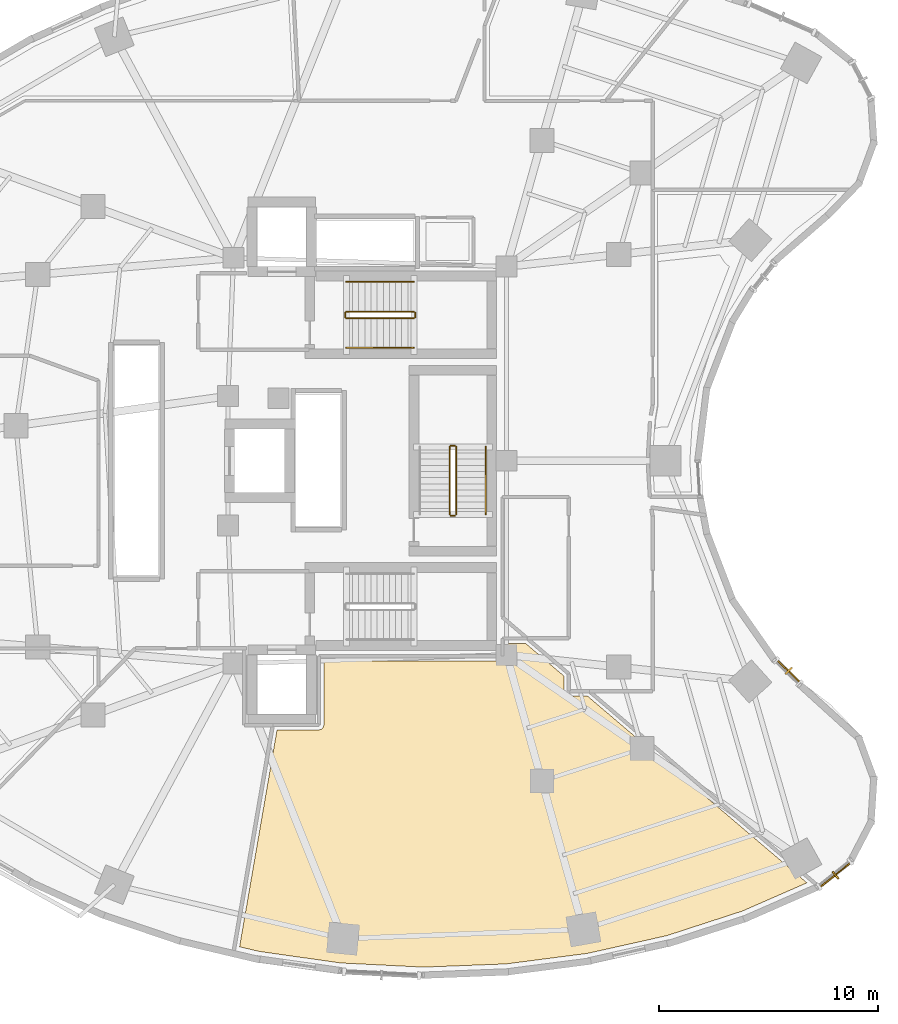
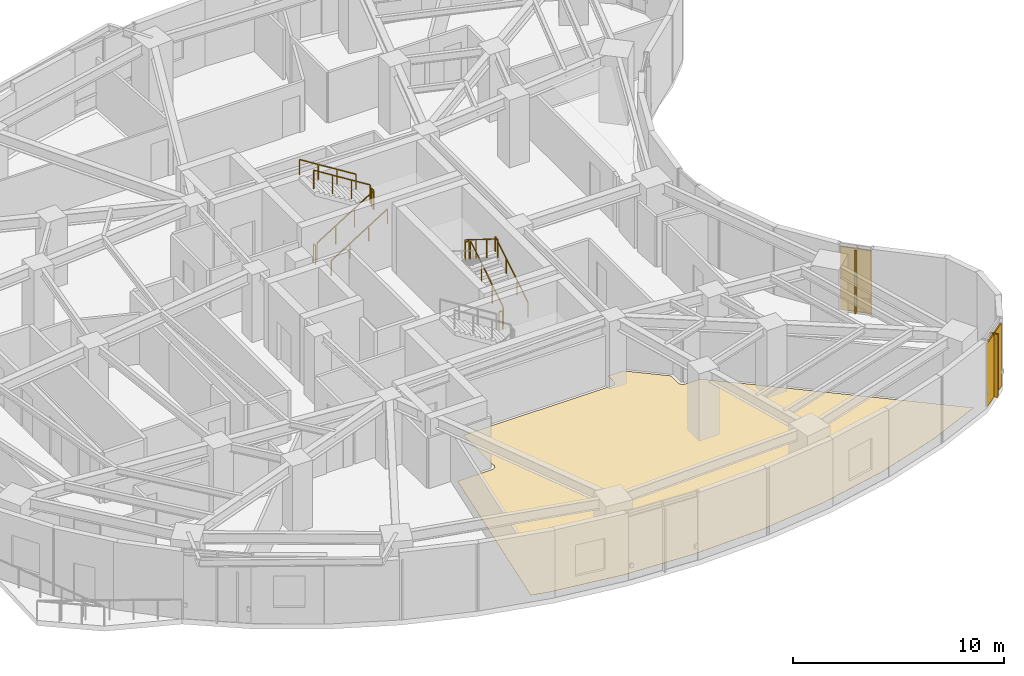
# One storey, part 13 of 14: 11 railings, 4 shading devices, 1 covering.
"""IFC4 building model written with IfcOpenShell, lengths in metres."""

import ifcopenshell
import ifcopenshell.guid

model = None  # the IFC model being written
_history = None  # IfcOwnerHistory: only IFC2X3 demands one
_inside = {}  # id of a spatial element -> (the spatial element, [elements in it])
_under = {}  # id of a project, library or spatial element -> (it, [spatial elements below it])
_declared = {}  # id of a project -> (the project, [libraries it declares])
_typed = {}  # id of a type object -> (the type object, [elements of that type])
_made_of = {}  # id of a material, layer set ... -> (it, [elements and type objects made of it])


def new_model(schema):
    """Start an empty IFC model of exactly this schema.

    Asked for "IFC4X3", IfcOpenShell would pick the latest addendum, in which some entities
    have other attributes; the version numbers below select the first issue.
    IFC2X3 requires an IfcOwnerHistory on every rooted entity: one is made here for all.
    """
    global model, _history
    if schema == "IFC4X3":
        model = ifcopenshell.file(schema_version=(4, 3, 0, 0))
    else:
        model = ifcopenshell.file(schema=schema)
    _inside.clear()
    _under.clear()
    _declared.clear()
    _typed.clear()
    _made_of.clear()
    _history = None
    if model.schema == "IFC2X3":
        org = make("IfcOrganization", Name="unknown")
        user = make(
            "IfcPersonAndOrganization",
            ThePerson=make("IfcPerson", FamilyName="unknown"),
            TheOrganization=org,
        )
        app = make(
            "IfcApplication",
            ApplicationDeveloper=org,
            Version="unknown",
            ApplicationFullName="unknown",
            ApplicationIdentifier="unknown",
        )
        _history = make(
            "IfcOwnerHistory",
            OwningUser=user,
            OwningApplication=app,
            ChangeAction="ADDED",
            CreationDate=0,
        )
    return model


def make(cls, **values):
    """One entity of the class cls with the attributes given. An attribute that is None is left unset."""
    return model.create_entity(
        cls, **{name: value for name, value in values.items() if value is not None}
    )


def rooted(cls, **values):
    """An entity with a GlobalId (a new one), such as an element, a storey or a relation."""
    return make(cls, GlobalId=ifcopenshell.guid.new(), OwnerHistory=_history, **values)


def si_unit(unit_type, name, prefix=None):
    """IfcSIUnit, for example si_unit("LENGTHUNIT", "METRE", prefix="MILLI")."""
    return make("IfcSIUnit", UnitType=unit_type, Prefix=prefix, Name=name)


def assignment(units):
    """IfcUnitAssignment: the units of a project."""
    return None if units is None else make("IfcUnitAssignment", Units=units)


def point(xyz):
    """IfcCartesianPoint."""
    return None if xyz is None else make("IfcCartesianPoint", Coordinates=xyz)


def direction(xyz):
    """IfcDirection."""
    return None if xyz is None else make("IfcDirection", DirectionRatios=xyz)


def frame(location, z_axis=None, x_axis=None):
    """IfcAxis2Placement3D, a coordinate frame: its origin and axes. An axis left out is left unset."""
    return make(
        "IfcAxis2Placement3D",
        Location=point(location),
        Axis=direction(z_axis),
        RefDirection=direction(x_axis),
    )


def frame_2d(location, x_axis=None):
    """IfcAxis2Placement2D, a coordinate frame in the plane: its origin and x axis."""
    return make(
        "IfcAxis2Placement2D", Location=point(location), RefDirection=direction(x_axis)
    )


def origin():
    """The frame at (0, 0, 0) with its axes left unset."""
    return frame((0.0, 0.0, 0.0))


def origin_2d():
    """The frame at (0, 0) in the plane with its x axis left unset."""
    return frame_2d((0.0, 0.0))


def place(relative_to, where):
    """IfcLocalPlacement: puts the frame where relative to a parent placement (None: the world)."""
    return make(
        "IfcLocalPlacement", PlacementRelTo=relative_to, RelativePlacement=where
    )


def context(
    kind, dimensions, precision=None, world=None, true_north=None, identifier=None
):
    """IfcGeometricRepresentationContext, for example the 3D "Model" context."""
    return make(
        "IfcGeometricRepresentationContext",
        ContextIdentifier=identifier,
        ContextType=kind,
        CoordinateSpaceDimension=dimensions,
        Precision=precision,
        WorldCoordinateSystem=world,
        TrueNorth=true_north,
    )


def subcontext(parent, identifier, kind, view, scale=None):
    """IfcGeometricRepresentationSubContext, for example "Body" below "Model"."""
    return make(
        "IfcGeometricRepresentationSubContext",
        ContextIdentifier=identifier,
        ContextType=kind,
        ParentContext=parent,
        TargetScale=scale,
        TargetView=view,
    )


def project(units=None, contexts=None):
    """IfcProject with its units and contexts."""
    return rooted(
        "IfcProject",
        Name="project",
        RepresentationContexts=contexts,
        UnitsInContext=assignment(units),
    )


def spatial(cls, under=None, at=None, **own):
    """A site, building, storey or space (cls), placed at a placement, below another one or the project."""
    s = rooted(cls, ObjectPlacement=at, **own)
    if under is not None:
        _under.setdefault(under.id(), (under, []))[1].append(s)
    return s


def polyline(points):
    """IfcPolyline through the points."""
    return make("IfcPolyline", Points=[point(p) for p in points])


def profile(cls, at=None, kind="AREA", **sizes):
    """A parametric profile (cls). Its sizes go by their IFC names, for example OverallWidth=200.0."""
    return make(cls, ProfileType=kind, Position=at, **sizes)


def rectangle(**sizes):
    """IfcRectangleProfileDef."""
    return profile("IfcRectangleProfileDef", **sizes)


def outline(outer, holes=None, kind="AREA"):
    """IfcArbitraryClosedProfileDef: a profile drawn as a closed curve; with holes, ...WithVoids."""
    if holes is None:
        return make("IfcArbitraryClosedProfileDef", ProfileType=kind, OuterCurve=outer)
    return make(
        "IfcArbitraryProfileDefWithVoids",
        ProfileType=kind,
        OuterCurve=outer,
        InnerCurves=holes,
    )


def extrude(swept, where, along, depth):
    """IfcExtrudedAreaSolid: the profile swept, set in the frame where, extruded along a direction by depth."""
    return make(
        "IfcExtrudedAreaSolid",
        SweptArea=swept,
        Position=where,
        ExtrudedDirection=direction(along),
        Depth=depth,
    )


def shape(context_of_items, identifier, shape_type, items):
    """IfcShapeRepresentation: the items that make up one representation, for example the "Body"."""
    return make(
        "IfcShapeRepresentation",
        ContextOfItems=context_of_items,
        RepresentationIdentifier=identifier,
        RepresentationType=shape_type,
        Items=items,
    )


def material(Name=None, Category=None):
    """IfcMaterial."""
    return make("IfcMaterial", Name=Name, Category=Category)


def layer(
    of_material, thickness, ventilated=None, Name=None, Category=None, Priority=None
):
    """IfcMaterialLayer: one layer of a wall or slab, of a material (None: an air gap)."""
    return make(
        "IfcMaterialLayer",
        Material=of_material,
        LayerThickness=thickness,
        IsVentilated=ventilated,
        Name=Name,
        Category=Category,
        Priority=Priority,
    )


def layer_set(layers, Name=None):
    """IfcMaterialLayerSet."""
    return make("IfcMaterialLayerSet", MaterialLayers=layers, LayerSetName=Name)


def made_of(thing, what):
    """Note that an element or type object is made of a material, layer set ...; save() writes the relation."""
    if what is not None:
        _made_of.setdefault(what.id(), (what, []))[1].append(thing)
    return thing


def type_object(cls, material=None, **own):
    """A type object (cls), such as IfcWallType, which elements share."""
    return made_of(rooted(cls, **own), material)


def element(
    cls,
    number,
    at=None,
    inside=None,
    cuts=None,
    type_object=None,
    material=None,
    context=None,
    identifier="Body",
    shape_type=None,
    held_by="IfcProductDefinitionShape",
    body=None,
    shapes=None,
    **own,
):
    """One element of the class cls, such as IfcWall. Its Tag is "e" and its number.

    at: its placement. inside: the storey or other place that contains it. cuts: it is an
    opening in that element (IfcRelVoidsElement). A single representation is given by context,
    identifier, shape_type and body (its items); several are given by shapes. held_by: the class
    of the entity that holds the representations. save() writes the other relations.
    """
    e = rooted(cls, Tag="e%d" % number, ObjectPlacement=at, **own)
    if body is not None:
        shapes = [shape(context, identifier, shape_type, body)]
    if shapes is not None:
        e.Representation = make(held_by, Representations=shapes)
    if inside is not None:
        _inside.setdefault(inside.id(), (inside, []))[1].append(e)
    if cuts is not None:
        rooted(
            "IfcRelVoidsElement", RelatingBuildingElement=cuts, RelatedOpeningElement=e
        )
    if type_object is not None:
        _typed.setdefault(type_object.id(), (type_object, []))[1].append(e)
    return made_of(e, material)


def aggregate(whole, parts):
    """IfcRelAggregates: a whole, such as a stair, and the parts it consists of."""
    return rooted("IfcRelAggregates", RelatingObject=whole, RelatedObjects=parts)


def save(model, path):
    """Write the relations noted so far, then the file.

    IfcRelAggregates (storeys below a building ...), IfcRelContainedInSpatialStructure (elements
    in a storey), IfcRelDefinesByType, IfcRelAssociatesMaterial and IfcRelDeclares: one each for
    every whole, place, type object, material and project.
    """
    for whole, parts in _under.values():
        aggregate(whole, parts)
    for where, things in _inside.values():
        rooted(
            "IfcRelContainedInSpatialStructure",
            RelatedElements=things,
            RelatingStructure=where,
        )
    for kind, things in _typed.values():
        rooted("IfcRelDefinesByType", RelatedObjects=things, RelatingType=kind)
    for what, things in _made_of.values():
        rooted("IfcRelAssociatesMaterial", RelatedObjects=things, RelatingMaterial=what)
    for by, libraries in _declared.values():
        rooted("IfcRelDeclares", RelatingContext=by, RelatedDefinitions=libraries)
    model.write(path)


model = new_model("IFC4")

# Units and contexts
model_context = context("Model", 3, precision=1e-05, world=origin(), true_north=direction((0.0, 1.0)))
body_context = subcontext(model_context, "Body", "Model", "MODEL_VIEW")
ifc_project = project(units=[si_unit("LENGTHUNIT", "METRE"), si_unit("AREAUNIT", "SQUARE_METRE"), si_unit("VOLUMEUNIT", "CUBIC_METRE"), si_unit("PLANEANGLEUNIT", "RADIAN"), si_unit("MASSUNIT", "GRAM", prefix="KILO")], contexts=[model_context])

# Site, building, storey
site_placement = place(None, origin())
site = spatial("IfcSite", under=ifc_project, at=site_placement, CompositionType="ELEMENT")
building_placement = place(site_placement, origin())
building = spatial("IfcBuilding", under=site, at=building_placement, Name="Korentha Bioscience Tower", CompositionType="ELEMENT")
storey_placement = place(building_placement, frame((0.0, 0.0, 46.800048828125)))
storey = spatial("IfcBuildingStorey", under=building, at=storey_placement, Name="L10", CompositionType="ELEMENT", Elevation=46.800048828125)

# Railings
ifc_material_1 = material(Name="Stainless Steel 304", Category="steel")
railing_type_1 = type_object("IfcRailingType", Name="Brushed Stainless Stair Handrail 900", PredefinedType="HANDRAIL", material=ifc_material_1)
railing_1_placement = place(storey_placement, frame((30.25, 32.14990234375, 0.175048828125)))
element("IfcRailing", 1, at=railing_1_placement, inside=storey, type_object=railing_type_1, Name="L10 ST-1 stair handrail 1", PredefinedType="HANDRAIL", context=body_context, shape_type="SweptSolid", body=[
    extrude(rectangle(XDim=0.048095703125, YDim=0.048095703125, at=origin_2d()), frame((0.0, 0.0, 0.8759765625), z_axis=(0.848028513186, 0.0, 0.529950602248), x_axis=(0.0, 1.0, 0.0)), (0.0, 0.0, 1.0), 3.632080078125),
    extrude(rectangle(XDim=0.0419921875, YDim=0.0419921875, at=origin_2d()), origin(), (0.0, 0.0, 1.0), 0.851806640625),
    extrude(rectangle(XDim=0.0419921875, YDim=0.0419921875, at=origin_2d()), frame((1.026611328125, 0.0, 0.6416015625)), (0.0, 0.0, 1.0), 0.851806640625),
    extrude(rectangle(XDim=0.0419921875, YDim=0.0419921875, at=origin_2d()), frame((2.053466796875, 0.0, 1.283203125)), (0.0, 0.0, 1.0), 0.851806640625),
    extrude(rectangle(XDim=0.0419921875, YDim=0.0419921875, at=origin_2d()), frame((3.080078125, 0.0, 1.9248046875)), (0.0, 0.0, 1.0), 0.851806640625),
])
railing_2_placement = place(storey_placement, frame((33.330078125, 35.14990234375, 2.27490234375)))
element("IfcRailing", 2, at=railing_2_placement, inside=storey, type_object=railing_type_1, Name="L10 ST-1 stair handrail 2", PredefinedType="HANDRAIL", context=body_context, shape_type="SweptSolid", body=[
    extrude(rectangle(XDim=0.048095703125, YDim=0.048095703125, at=origin_2d()), frame((0.0, 0.0, 0.8759765625), z_axis=(-0.847998304005, 0.0, 0.529998940003), x_axis=(0.0, -1.0, 0.0)), (0.0, 0.0, 1.0), 3.632080078125),
    extrude(rectangle(XDim=0.0419921875, YDim=0.0419921875, at=origin_2d()), origin(), (0.0, 0.0, 1.0), 0.851806640625),
    extrude(rectangle(XDim=0.0419921875, YDim=0.0419921875, at=origin_2d()), frame((-1.026611328125, 0.0, 0.6416015625)), (0.0, 0.0, 1.0), 0.851806640625),
    extrude(rectangle(XDim=0.0419921875, YDim=0.0419921875, at=origin_2d()), frame((-2.053466796875, 0.0, 1.283447265625)), (0.0, 0.0, 1.0), 0.851806640625),
    extrude(rectangle(XDim=0.0419921875, YDim=0.0419921875, at=origin_2d()), frame((-3.080078125, 0.0, 1.925048828125)), (0.0, 0.0, 1.0), 0.851806640625),
])
railing_3_placement = place(storey_placement, frame((36.60009765625, 24.550048828125, 0.175048828125)))
element("IfcRailing", 3, at=railing_3_placement, inside=storey, type_object=railing_type_1, Name="L10 ST-3 stair handrail 1", PredefinedType="HANDRAIL", context=body_context, shape_type="SweptSolid", body=[
    extrude(rectangle(XDim=0.048095703125, YDim=0.048095703125, at=origin_2d()), frame((0.0, 0.0, 0.8759765625), z_axis=(0.0, 0.848009633417, 0.529980812513), x_axis=(-1.0, 0.0, 0.0)), (0.0, 0.0, 1.0), 3.6318359375),
    extrude(rectangle(XDim=0.0419921875, YDim=0.0419921875, at=origin_2d()), origin(), (0.0, 0.0, 1.0), 0.851806640625),
    extrude(rectangle(XDim=0.0419921875, YDim=0.0419921875, at=origin_2d()), frame((0.0, 1.026611328125, 0.6416015625)), (0.0, 0.0, 1.0), 0.851806640625),
    extrude(rectangle(XDim=0.0419921875, YDim=0.0419921875, at=origin_2d()), frame((0.0, 2.05322265625, 1.283203125)), (0.0, 0.0, 1.0), 0.851806640625),
    extrude(rectangle(XDim=0.0419921875, YDim=0.0419921875, at=origin_2d()), frame((0.0, 3.079833984375, 1.9248046875)), (0.0, 0.0, 1.0), 0.851806640625),
])
ifc_material_2 = material(Name="Painted Steel S275", Category="steel")
railing_type_2 = type_object("IfcRailingType", Name="Painted Steel Stair Well Guardrail 1100", PredefinedType="GUARDRAIL", material=ifc_material_2)
railing_4_placement = place(storey_placement, frame((30.25, 33.5, 0.175048828125)))
element("IfcRailing", 4, at=railing_4_placement, inside=storey, type_object=railing_type_2, Name="L10 ST-1 stair guard 1", PredefinedType="GUARDRAIL", context=body_context, shape_type="SweptSolid", body=[
    extrude(rectangle(XDim=0.048095703125, YDim=0.048095703125, at=origin_2d()), frame((0.0, 0.0, 1.076171875), z_axis=(0.848028513186, 0.0, 0.529950602248), x_axis=(0.0, 1.0, 0.0)), (0.0, 0.0, 1.0), 3.632080078125),
    extrude(rectangle(XDim=0.0419921875, YDim=0.0419921875, at=origin_2d()), origin(), (0.0, 0.0, 1.0), 1.052001953125),
    extrude(rectangle(XDim=0.0419921875, YDim=0.0419921875, at=origin_2d()), frame((1.026611328125, 0.0, 0.6416015625)), (0.0, 0.0, 1.0), 1.052001953125),
    extrude(rectangle(XDim=0.0419921875, YDim=0.0419921875, at=origin_2d()), frame((2.053466796875, 0.0, 1.283203125)), (0.0, 0.0, 1.0), 1.052001953125),
    extrude(rectangle(XDim=0.0419921875, YDim=0.0419921875, at=origin_2d()), frame((3.080078125, 0.0, 1.9248046875)), (0.0, 0.0, 1.0), 1.052001953125),
])
railing_5_placement = place(storey_placement, frame((33.3798828125, 33.550048828125, 2.099853515625)))
element("IfcRailing", 5, at=railing_5_placement, inside=storey, type_object=railing_type_2, Name="L10 ST-1 stair guard 2", PredefinedType="GUARDRAIL", context=body_context, shape_type="SweptSolid", body=[
    extrude(rectangle(XDim=0.048095703125, YDim=0.048095703125, at=origin_2d()), frame((0.0, 0.0, 1.076171875), z_axis=(0.0, 1.0, 0.0), x_axis=(-1.0, 0.0, 0.0)), (0.0, 0.0, 1.0), 0.199951171875),
    extrude(rectangle(XDim=0.0419921875, YDim=0.0419921875, at=origin_2d()), origin(), (0.0, 0.0, 1.0), 1.052001953125),
    extrude(rectangle(XDim=0.0419921875, YDim=0.0419921875, at=origin_2d()), frame((0.0, 0.199951171875, 0.0)), (0.0, 0.0, 1.0), 1.052001953125),
])
railing_6_placement = place(storey_placement, frame((33.330078125, 33.800048828125, 2.27490234375)))
element("IfcRailing", 6, at=railing_6_placement, inside=storey, type_object=railing_type_2, Name="L10 ST-1 stair guard 3", PredefinedType="GUARDRAIL", context=body_context, shape_type="SweptSolid", body=[
    extrude(rectangle(XDim=0.048095703125, YDim=0.048095703125, at=origin_2d()), frame((0.0, 0.0, 1.076171875), z_axis=(-0.847998304005, 0.0, 0.529998940003), x_axis=(0.0, -1.0, 0.0)), (0.0, 0.0, 1.0), 3.632080078125),
    extrude(rectangle(XDim=0.0419921875, YDim=0.0419921875, at=origin_2d()), origin(), (0.0, 0.0, 1.0), 1.052001953125),
    extrude(rectangle(XDim=0.0419921875, YDim=0.0419921875, at=origin_2d()), frame((-1.026611328125, 0.0, 0.6416015625)), (0.0, 0.0, 1.0), 1.052001953125),
    extrude(rectangle(XDim=0.0419921875, YDim=0.0419921875, at=origin_2d()), frame((-2.053466796875, 0.0, 1.283447265625)), (0.0, 0.0, 1.0), 1.052001953125),
    extrude(rectangle(XDim=0.0419921875, YDim=0.0419921875, at=origin_2d()), frame((-3.080078125, 0.0, 1.925048828125)), (0.0, 0.0, 1.0), 1.052001953125),
])
railing_7_placement = place(storey_placement, frame((30.199951171875, 33.550048828125, 0.0)))
element("IfcRailing", 7, at=railing_7_placement, inside=storey, type_object=railing_type_2, Name="L10 ST-1 stair guard 4", PredefinedType="GUARDRAIL", context=body_context, shape_type="SweptSolid", body=[
    extrude(rectangle(XDim=0.048095703125, YDim=0.048095703125, at=origin_2d()), frame((0.0, 0.0, 1.076171875), z_axis=(0.0, 1.0, 0.0), x_axis=(-1.0, 0.0, 0.0)), (0.0, 0.0, 1.0), 0.199951171875),
    extrude(rectangle(XDim=0.0419921875, YDim=0.0419921875, at=origin_2d()), origin(), (0.0, 0.0, 1.0), 1.052001953125),
    extrude(rectangle(XDim=0.0419921875, YDim=0.0419921875, at=origin_2d()), frame((0.0, 0.199951171875, 0.0)), (0.0, 0.0, 1.0), 1.052001953125),
])
railing_8_placement = place(storey_placement, frame((35.25, 24.550048828125, 0.175048828125)))
element("IfcRailing", 8, at=railing_8_placement, inside=storey, type_object=railing_type_2, Name="L10 ST-3 stair guard 1", PredefinedType="GUARDRAIL", context=body_context, shape_type="SweptSolid", body=[
    extrude(rectangle(XDim=0.048095703125, YDim=0.048095703125, at=origin_2d()), frame((0.0, 0.0, 1.076171875), z_axis=(0.0, 0.848009633417, 0.529980812513), x_axis=(-1.0, 0.0, 0.0)), (0.0, 0.0, 1.0), 3.6318359375),
    extrude(rectangle(XDim=0.0419921875, YDim=0.0419921875, at=origin_2d()), origin(), (0.0, 0.0, 1.0), 1.052001953125),
    extrude(rectangle(XDim=0.0419921875, YDim=0.0419921875, at=origin_2d()), frame((0.0, 1.026611328125, 0.6416015625)), (0.0, 0.0, 1.0), 1.052001953125),
    extrude(rectangle(XDim=0.0419921875, YDim=0.0419921875, at=origin_2d()), frame((0.0, 2.05322265625, 1.283203125)), (0.0, 0.0, 1.0), 1.052001953125),
    extrude(rectangle(XDim=0.0419921875, YDim=0.0419921875, at=origin_2d()), frame((0.0, 3.079833984375, 1.9248046875)), (0.0, 0.0, 1.0), 1.052001953125),
])
railing_9_placement = place(storey_placement, frame((35.199951171875, 27.679931640625, 2.099853515625)))
element("IfcRailing", 9, at=railing_9_placement, inside=storey, type_object=railing_type_2, Name="L10 ST-3 stair guard 2", PredefinedType="GUARDRAIL", context=body_context, shape_type="SweptSolid", body=[
    extrude(rectangle(XDim=0.048095703125, YDim=0.048095703125, at=origin_2d()), frame((0.0, 0.0, 1.076171875), z_axis=(-1.0, 0.0, 0.0), x_axis=(0.0, -1.0, 0.0)), (0.0, 0.0, 1.0), 0.199951171875),
    extrude(rectangle(XDim=0.0419921875, YDim=0.0419921875, at=origin_2d()), origin(), (0.0, 0.0, 1.0), 1.052001953125),
    extrude(rectangle(XDim=0.0419921875, YDim=0.0419921875, at=origin_2d()), frame((-0.199951171875, 0.0, 0.0)), (0.0, 0.0, 1.0), 1.052001953125),
])
railing_10_placement = place(storey_placement, frame((34.949951171875, 27.6298828125, 2.27490234375)))
element("IfcRailing", 10, at=railing_10_placement, inside=storey, type_object=railing_type_2, Name="L10 ST-3 stair guard 3", PredefinedType="GUARDRAIL", context=body_context, shape_type="SweptSolid", body=[
    extrude(rectangle(XDim=0.048095703125, YDim=0.048095703125, at=origin_2d()), frame((0.0, 0.0, 1.076171875), z_axis=(0.0, -0.847979421464, 0.530029150871), x_axis=(1.0, 0.0, 0.0)), (0.0, 0.0, 1.0), 3.632080078125),
    extrude(rectangle(XDim=0.0419921875, YDim=0.0419921875, at=origin_2d()), origin(), (0.0, 0.0, 1.0), 1.052001953125),
    extrude(rectangle(XDim=0.0419921875, YDim=0.0419921875, at=origin_2d()), frame((0.0, -1.026611328125, 0.6416015625)), (0.0, 0.0, 1.0), 1.052001953125),
    extrude(rectangle(XDim=0.0419921875, YDim=0.0419921875, at=origin_2d()), frame((0.0, -2.05322265625, 1.283447265625)), (0.0, 0.0, 1.0), 1.052001953125),
    extrude(rectangle(XDim=0.0419921875, YDim=0.0419921875, at=origin_2d()), frame((0.0, -3.079833984375, 1.925048828125)), (0.0, 0.0, 1.0), 1.052001953125),
])
railing_11_placement = place(storey_placement, frame((35.199951171875, 24.5, 0.0)))
element("IfcRailing", 11, at=railing_11_placement, inside=storey, type_object=railing_type_2, Name="L10 ST-3 stair guard 4", PredefinedType="GUARDRAIL", context=body_context, shape_type="SweptSolid", body=[
    extrude(rectangle(XDim=0.048095703125, YDim=0.048095703125, at=origin_2d()), frame((0.0, 0.0, 1.076171875), z_axis=(-1.0, 0.0, 0.0), x_axis=(0.0, -1.0, 0.0)), (0.0, 0.0, 1.0), 0.199951171875),
    extrude(rectangle(XDim=0.0419921875, YDim=0.0419921875, at=origin_2d()), origin(), (0.0, 0.0, 1.0), 1.052001953125),
    extrude(rectangle(XDim=0.0419921875, YDim=0.0419921875, at=origin_2d()), frame((-0.199951171875, 0.0, 0.0)), (0.0, 0.0, 1.0), 1.052001953125),
])

# Shading devices
ifc_material_3 = material(Name="Perforated Stone-Ceramic Composite", Category="masonry")
ifc_layer_1 = layer(ifc_material_3, 0.06494140625, Name="Perforated Stone-Ceramic Composite")
ifc_layer_set_1 = layer_set([ifc_layer_1], Name="Perforated Stone-Ceramic Composite (CS-01)")
shading_device_type_1 = type_object("IfcShadingDeviceType", Name="Perforated Stone-Ceramic Solar Screen Panel 65", PredefinedType="USERDEFINED", material=ifc_layer_set_1)
shading_device_1_placement = place(storey_placement, frame((52.5380859375, 8.11328125, 0.0), z_axis=(0.0, 0.0, 1.0), x_axis=(0.782287851332, 0.62291710336, 0.0)))
element("IfcShadingDevice", 12, at=shading_device_1_placement, inside=storey, type_object=shading_device_type_1, Name="CW-L10-37 Perforated Stone-Ceramic Solar Screen", ObjectType="SCREEN", PredefinedType="USERDEFINED", context=body_context, shape_type="SweptSolid", body=[
    extrude(rectangle(XDim=1.927734375, YDim=0.06494140625, at=origin_2d()), origin(), (0.0, 0.0, 1.0), 3.64990234375),
])
shading_device_2_placement = place(storey_placement, frame((50.4033203125, 17.406982421875, 0.0), z_axis=(0.0, 0.0, 1.0), x_axis=(-0.713279246754, 0.700879958445, 0.0)))
element("IfcShadingDevice", 13, at=shading_device_2_placement, inside=storey, type_object=shading_device_type_1, Name="CW-L10-43 Perforated Stone-Ceramic Solar Screen", ObjectType="SCREEN", PredefinedType="USERDEFINED", context=body_context, shape_type="SweptSolid", body=[
    extrude(rectangle(XDim=1.537841796875, YDim=0.06494140625, at=origin_2d()), origin(), (0.0, 0.0, 1.0), 3.64990234375),
])

# Covering
ifc_material_4 = material(Name="Chemical-Resistant Epoxy Resin", Category="polymer")
ifc_layer_2 = layer(ifc_material_4, 0.011962890625, Name="Chemical-Resistant Epoxy Resin")
ifc_layer_set_2 = layer_set([ifc_layer_2], Name="Chemical-Resistant Epoxy Resin (FL-EPX)")
covering_type = type_object("IfcCoveringType", Name="Seamless Epoxy Laboratory Flooring 12", PredefinedType="FLOORING", material=ifc_layer_set_2)
covering_placement = place(storey_placement, origin())
element("IfcCovering", 14, at=covering_placement, inside=storey, type_object=covering_type, Name="L10 Biomechanical Motion Analysis Lab 04 Floor Finish", PredefinedType="FLOORING", context=body_context, shape_type="SweptSolid", body=[
    extrude(outline(polyline([(27.085205078125, 14.728515625), (29.0068359375, 14.730224609375), (29.101806640625, 14.756591796875), (29.18212890625, 14.829345703125), (29.219970703125, 14.94873046875), (29.219970703125, 17.8701171875), (37.36181640625, 17.870361328125), (37.447998046875, 17.891845703125), (37.504150390625, 17.92919921875), (37.572998046875, 18.043701171875), (37.580078125, 18.677978515625), (38.409423828125, 18.677978515625), (40.169921875, 17.1796875), (40.17041015625, 16.48828125), (40.1923828125, 16.401123046875), (40.245849609375, 16.329345703125), (40.302001953125, 16.2919921875), (40.38818359375, 16.270263671875), (41.23876953125, 16.27001953125), (51.243408203125, 7.75537109375), (48.310302734375, 6.470458984375), (44.857421875, 5.34716796875), (41.2451171875, 4.538818359375), (37.526611328125, 4.057861328125), (33.75634765625, 3.9111328125), (29.989501953125, 4.101318359375), (26.281982421875, 4.625), (25.377197265625, 4.8388671875), (27.085205078125, 14.728515625)])), origin(), (0.0, 0.0, 1.0), 0.011962890625),
])

# Shading devices
ifc_material_5 = material(Name="Honed Travertine Limestone", Category="masonry")
ifc_layer_3 = layer(ifc_material_5, 0.080078125, Name="Honed Travertine Limestone")
ifc_layer_set_3 = layer_set([ifc_layer_3], Name="Honed Travertine Limestone (CS-02)")
shading_device_type_2 = type_object("IfcShadingDeviceType", Name="Vertical Honed Limestone Sunshade Fin 80x420", PredefinedType="USERDEFINED", material=ifc_layer_set_3)
for number, where, z_axis, x_axis, name in (
    (15, (52.550537109375, 8.09765625, 0.0), (0.0, 0.0, 1.0), (0.782287851332, 0.62291710336, 0.0), "CW-L10-37 Limestone Sunshade Fin"),
    (16, (50.41748046875, 17.42138671875, 0.0), (0.0, 0.0, 1.0), (-0.713279246754, 0.700879958445, 0.0), "CW-L10-43 Limestone Sunshade Fin"),
):
    element("IfcShadingDevice", number, at=place(storey_placement, frame(where, z_axis=z_axis, x_axis=x_axis)), inside=storey, type_object=shading_device_type_2, Name=name, ObjectType="SCREEN", PredefinedType="USERDEFINED", context=body_context, shape_type="SweptSolid", body=[
        extrude(rectangle(XDim=0.080078125, YDim=0.419921875, at=origin_2d()), origin(), (0.0, 0.0, 1.0), 3.64990234375),
    ])

save(model, "model.ifc")
